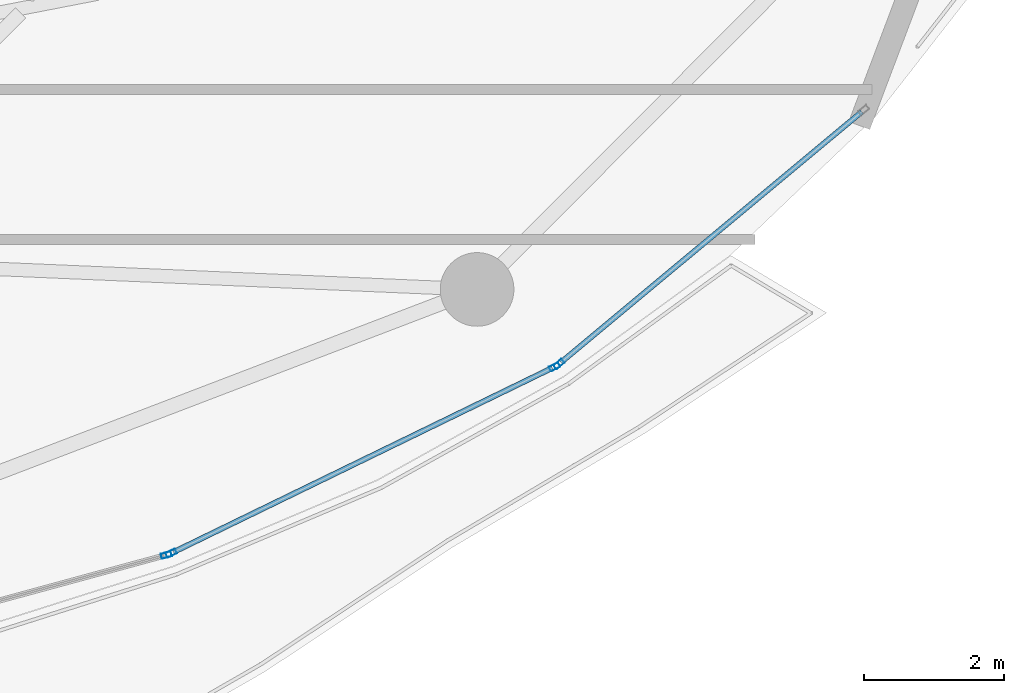
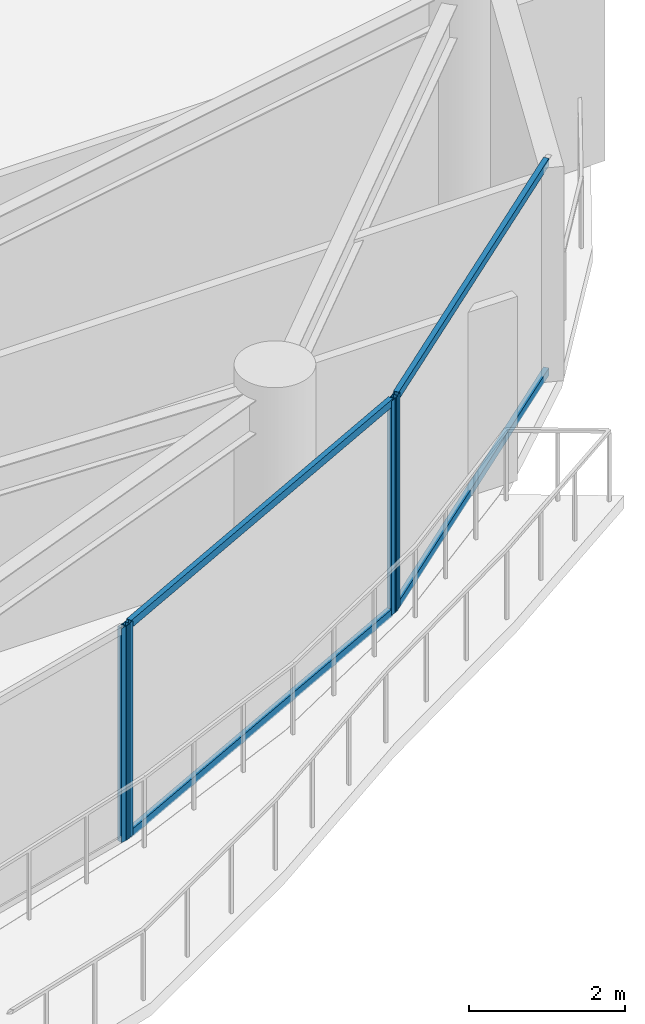
# One storey, part 12 of 29: 8 members, 3 elements without a shape of their own.
"""IFC4 building model written with IfcOpenShell, lengths in metres."""

import ifcopenshell
import ifcopenshell.guid

model = None  # the IFC model being written
_history = None  # IfcOwnerHistory: only IFC2X3 demands one
_inside = {}  # id of a spatial element -> (the spatial element, [elements in it])
_under = {}  # id of a project, library or spatial element -> (it, [spatial elements below it])
_declared = {}  # id of a project -> (the project, [libraries it declares])
_typed = {}  # id of a type object -> (the type object, [elements of that type])
_made_of = {}  # id of a material, layer set ... -> (it, [elements and type objects made of it])


def new_model(schema):
    """Start an empty IFC model of exactly this schema.

    Asked for "IFC4X3", IfcOpenShell would pick the latest addendum, in which some entities
    have other attributes; the version numbers below select the first issue.
    IFC2X3 requires an IfcOwnerHistory on every rooted entity: one is made here for all.
    """
    global model, _history
    if schema == "IFC4X3":
        model = ifcopenshell.file(schema_version=(4, 3, 0, 0))
    else:
        model = ifcopenshell.file(schema=schema)
    _inside.clear()
    _under.clear()
    _declared.clear()
    _typed.clear()
    _made_of.clear()
    _history = None
    if model.schema == "IFC2X3":
        org = make("IfcOrganization", Name="unknown")
        user = make(
            "IfcPersonAndOrganization",
            ThePerson=make("IfcPerson", FamilyName="unknown"),
            TheOrganization=org,
        )
        app = make(
            "IfcApplication",
            ApplicationDeveloper=org,
            Version="unknown",
            ApplicationFullName="unknown",
            ApplicationIdentifier="unknown",
        )
        _history = make(
            "IfcOwnerHistory",
            OwningUser=user,
            OwningApplication=app,
            ChangeAction="ADDED",
            CreationDate=0,
        )
    return model


def make(cls, **values):
    """One entity of the class cls with the attributes given. An attribute that is None is left unset."""
    return model.create_entity(
        cls, **{name: value for name, value in values.items() if value is not None}
    )


def rooted(cls, **values):
    """An entity with a GlobalId (a new one), such as an element, a storey or a relation."""
    return make(cls, GlobalId=ifcopenshell.guid.new(), OwnerHistory=_history, **values)


def si_unit(unit_type, name, prefix=None):
    """IfcSIUnit, for example si_unit("LENGTHUNIT", "METRE", prefix="MILLI")."""
    return make("IfcSIUnit", UnitType=unit_type, Prefix=prefix, Name=name)


def assignment(units):
    """IfcUnitAssignment: the units of a project."""
    return None if units is None else make("IfcUnitAssignment", Units=units)


def point(xyz):
    """IfcCartesianPoint."""
    return None if xyz is None else make("IfcCartesianPoint", Coordinates=xyz)


def direction(xyz):
    """IfcDirection."""
    return None if xyz is None else make("IfcDirection", DirectionRatios=xyz)


def frame(location, z_axis=None, x_axis=None):
    """IfcAxis2Placement3D, a coordinate frame: its origin and axes. An axis left out is left unset."""
    return make(
        "IfcAxis2Placement3D",
        Location=point(location),
        Axis=direction(z_axis),
        RefDirection=direction(x_axis),
    )


def frame_2d(location, x_axis=None):
    """IfcAxis2Placement2D, a coordinate frame in the plane: its origin and x axis."""
    return make(
        "IfcAxis2Placement2D", Location=point(location), RefDirection=direction(x_axis)
    )


def origin():
    """The frame at (0, 0, 0) with its axes left unset."""
    return frame((0.0, 0.0, 0.0))


def origin_2d():
    """The frame at (0, 0) in the plane with its x axis left unset."""
    return frame_2d((0.0, 0.0))


def place(relative_to, where):
    """IfcLocalPlacement: puts the frame where relative to a parent placement (None: the world)."""
    return make(
        "IfcLocalPlacement", PlacementRelTo=relative_to, RelativePlacement=where
    )


def context(
    kind, dimensions, precision=None, world=None, true_north=None, identifier=None
):
    """IfcGeometricRepresentationContext, for example the 3D "Model" context."""
    return make(
        "IfcGeometricRepresentationContext",
        ContextIdentifier=identifier,
        ContextType=kind,
        CoordinateSpaceDimension=dimensions,
        Precision=precision,
        WorldCoordinateSystem=world,
        TrueNorth=true_north,
    )


def subcontext(parent, identifier, kind, view, scale=None):
    """IfcGeometricRepresentationSubContext, for example "Body" below "Model"."""
    return make(
        "IfcGeometricRepresentationSubContext",
        ContextIdentifier=identifier,
        ContextType=kind,
        ParentContext=parent,
        TargetScale=scale,
        TargetView=view,
    )


def project(units=None, contexts=None):
    """IfcProject with its units and contexts."""
    return rooted(
        "IfcProject",
        Name="project",
        RepresentationContexts=contexts,
        UnitsInContext=assignment(units),
    )


def spatial(cls, under=None, at=None, **own):
    """A site, building, storey or space (cls), placed at a placement, below another one or the project."""
    s = rooted(cls, ObjectPlacement=at, **own)
    if under is not None:
        _under.setdefault(under.id(), (under, []))[1].append(s)
    return s


def profile(cls, at=None, kind="AREA", **sizes):
    """A parametric profile (cls). Its sizes go by their IFC names, for example OverallWidth=200.0."""
    return make(cls, ProfileType=kind, Position=at, **sizes)


def hollow_rectangle(**sizes):
    """IfcRectangleHollowProfileDef."""
    return profile("IfcRectangleHollowProfileDef", **sizes)


def extrude(swept, where, along, depth):
    """IfcExtrudedAreaSolid: the profile swept, set in the frame where, extruded along a direction by depth."""
    return make(
        "IfcExtrudedAreaSolid",
        SweptArea=swept,
        Position=where,
        ExtrudedDirection=direction(along),
        Depth=depth,
    )


def shape(context_of_items, identifier, shape_type, items):
    """IfcShapeRepresentation: the items that make up one representation, for example the "Body"."""
    return make(
        "IfcShapeRepresentation",
        ContextOfItems=context_of_items,
        RepresentationIdentifier=identifier,
        RepresentationType=shape_type,
        Items=items,
    )


def material(Name=None, Category=None):
    """IfcMaterial."""
    return make("IfcMaterial", Name=Name, Category=Category)


def layer(
    of_material, thickness, ventilated=None, Name=None, Category=None, Priority=None
):
    """IfcMaterialLayer: one layer of a wall or slab, of a material (None: an air gap)."""
    return make(
        "IfcMaterialLayer",
        Material=of_material,
        LayerThickness=thickness,
        IsVentilated=ventilated,
        Name=Name,
        Category=Category,
        Priority=Priority,
    )


def layer_set(layers, Name=None):
    """IfcMaterialLayerSet."""
    return make("IfcMaterialLayerSet", MaterialLayers=layers, LayerSetName=Name)


def material_profile(
    of_material, cross_section, Name=None, Category=None, Priority=None
):
    """IfcMaterialProfile: a cross section and its material."""
    return make(
        "IfcMaterialProfile",
        Name=Name,
        Material=of_material,
        Profile=cross_section,
        Priority=Priority,
        Category=Category,
    )


def profile_set(profiles, Name=None, composite=None):
    """IfcMaterialProfileSet."""
    return make(
        "IfcMaterialProfileSet",
        Name=Name,
        MaterialProfiles=profiles,
        CompositeProfile=composite,
    )


def made_of(thing, what):
    """Note that an element or type object is made of a material, layer set ...; save() writes the relation."""
    if what is not None:
        _made_of.setdefault(what.id(), (what, []))[1].append(thing)
    return thing


def type_object(cls, material=None, **own):
    """A type object (cls), such as IfcWallType, which elements share."""
    return made_of(rooted(cls, **own), material)


def element(
    cls,
    number,
    at=None,
    inside=None,
    cuts=None,
    type_object=None,
    material=None,
    context=None,
    identifier="Body",
    shape_type=None,
    held_by="IfcProductDefinitionShape",
    body=None,
    shapes=None,
    **own,
):
    """One element of the class cls, such as IfcWall. Its Tag is "e" and its number.

    at: its placement. inside: the storey or other place that contains it. cuts: it is an
    opening in that element (IfcRelVoidsElement). A single representation is given by context,
    identifier, shape_type and body (its items); several are given by shapes. held_by: the class
    of the entity that holds the representations. save() writes the other relations.
    """
    e = rooted(cls, Tag="e%d" % number, ObjectPlacement=at, **own)
    if body is not None:
        shapes = [shape(context, identifier, shape_type, body)]
    if shapes is not None:
        e.Representation = make(held_by, Representations=shapes)
    if inside is not None:
        _inside.setdefault(inside.id(), (inside, []))[1].append(e)
    if cuts is not None:
        rooted(
            "IfcRelVoidsElement", RelatingBuildingElement=cuts, RelatedOpeningElement=e
        )
    if type_object is not None:
        _typed.setdefault(type_object.id(), (type_object, []))[1].append(e)
    return made_of(e, material)


def aggregate(whole, parts):
    """IfcRelAggregates: a whole, such as a stair, and the parts it consists of."""
    return rooted("IfcRelAggregates", RelatingObject=whole, RelatedObjects=parts)


def save(model, path):
    """Write the relations noted so far, then the file.

    IfcRelAggregates (storeys below a building ...), IfcRelContainedInSpatialStructure (elements
    in a storey), IfcRelDefinesByType, IfcRelAssociatesMaterial and IfcRelDeclares: one each for
    every whole, place, type object, material and project.
    """
    for whole, parts in _under.values():
        aggregate(whole, parts)
    for where, things in _inside.values():
        rooted(
            "IfcRelContainedInSpatialStructure",
            RelatedElements=things,
            RelatingStructure=where,
        )
    for kind, things in _typed.values():
        rooted("IfcRelDefinesByType", RelatedObjects=things, RelatingType=kind)
    for what, things in _made_of.values():
        rooted("IfcRelAssociatesMaterial", RelatedObjects=things, RelatingMaterial=what)
    for by, libraries in _declared.values():
        rooted("IfcRelDeclares", RelatingContext=by, RelatedDefinitions=libraries)
    model.write(path)


model = new_model("IFC4")

# Units and contexts
model_context = context("Model", 3, precision=1e-05, world=origin(), true_north=direction((0.0, 1.0)))
body_context = subcontext(model_context, "Body", "Model", "MODEL_VIEW")
ifc_project = project(units=[si_unit("LENGTHUNIT", "METRE"), si_unit("AREAUNIT", "SQUARE_METRE"), si_unit("VOLUMEUNIT", "CUBIC_METRE"), si_unit("PLANEANGLEUNIT", "RADIAN"), si_unit("MASSUNIT", "GRAM", prefix="KILO")], contexts=[model_context])

# Site, building, storey
site_placement = place(None, origin())
site = spatial("IfcSite", under=ifc_project, at=site_placement, CompositionType="ELEMENT")
building_placement = place(site_placement, origin())
building = spatial("IfcBuilding", under=site, at=building_placement, Name="Kazevale Care Tower and Concert Hall", CompositionType="ELEMENT")
storey_placement = place(building_placement, frame((0.0, 0.0, 195.60009765625)))
storey = spatial("IfcBuildingStorey", under=building, at=storey_placement, Name="L51", CompositionType="ELEMENT", Elevation=195.60009765625)

# Curtain wall, member
ifc_material_1 = material(Name="Aluminium 6063-T6 and Low-E Glass", Category="aluminium")
ifc_layer = layer(ifc_material_1, 0.179931640625)
ifc_layer_set = layer_set([ifc_layer], Name="Aluminium 6063-T6 and Low-E Glass")
curtain_wall_type = type_object("IfcCurtainWallType", Name="Sheltered Concave Balcony Curtain Wall CW-5", PredefinedType="NOTDEFINED", material=ifc_layer_set)
curtain_wall_1_placement = place(storey_placement, origin())
curtain_wall_1 = element("IfcCurtainWall", 1, at=curtain_wall_1_placement, inside=storey, type_object=curtain_wall_type, Name="cw:L51:f02", PredefinedType="NOTDEFINED")
ifc_material_2 = material(Name="Aluminium 6063-T6", Category="aluminium")
ifc_material_profile_1 = material_profile(ifc_material_2, hollow_rectangle(XDim=0.074951171875, YDim=0.14990234375, WallThickness=0.00390625, at=origin_2d()), Name="ALU75x150x4")
ifc_profile_set_1 = profile_set([ifc_material_profile_1], Name="Aluminium 6063-T6")
member_type_1 = type_object("IfcMemberType", Name="CW-5 Mullion ALU75x150x4", PredefinedType="MULLION", material=ifc_profile_set_1)
member_1_placement = place(storey_placement, frame((67.417724609375, 21.5869140625, 0.0), z_axis=(0.0, 0.0, 1.0), x_axis=(0.639961217204, -0.768407210062, 0.0)))
member_1 = element("IfcMember", 2, at=member_1_placement, type_object=member_type_1, Name="CW-5 mullion 2", PredefinedType="MULLION", context=body_context, shape_type="SweptSolid", body=[
    extrude(hollow_rectangle(XDim=0.074951171875, YDim=0.14990234375, WallThickness=0.00390625, at=origin_2d()), origin(), (0.0, 0.0, 1.0), 3.35986328125),
])

# Curtain wall, members
curtain_wall_2_placement = place(storey_placement, origin())
curtain_wall_2 = element("IfcCurtainWall", 3, at=curtain_wall_2_placement, inside=storey, type_object=curtain_wall_type, Name="cw:L51:f03", PredefinedType="NOTDEFINED")
member_2_placement = place(storey_placement, frame((67.355224609375, 21.546630859375, 0.0), z_axis=(0.0, 0.0, 1.0), x_axis=(0.437238357087, -0.89934566163, 0.0)))
member_2 = element("IfcMember", 4, at=member_2_placement, type_object=member_type_1, Name="CW-5 mullion 1", PredefinedType="MULLION", context=body_context, shape_type="SweptSolid", body=[
    extrude(hollow_rectangle(XDim=0.074951171875, YDim=0.14990234375, WallThickness=0.00390625, at=origin_2d()), origin(), (0.0, 0.0, 1.0), 3.35986328125),
])
member_3_placement = place(storey_placement, frame((61.8896484375, 18.889404296875, 0.0), z_axis=(0.0, 0.0, 1.0), x_axis=(0.437238357087, -0.89934566163, 0.0)))
member_3 = element("IfcMember", 5, at=member_3_placement, type_object=member_type_1, Name="CW-5 mullion 2", PredefinedType="MULLION", context=body_context, shape_type="SweptSolid", body=[
    extrude(hollow_rectangle(XDim=0.074951171875, YDim=0.14990234375, WallThickness=0.00390625, at=origin_2d()), origin(), (0.0, 0.0, 1.0), 3.35986328125),
])

# Curtain wall, member
curtain_wall_3_placement = place(storey_placement, origin())
curtain_wall_3 = element("IfcCurtainWall", 6, at=curtain_wall_3_placement, inside=storey, type_object=curtain_wall_type, Name="cw:L51:f04", PredefinedType="NOTDEFINED")
member_4_placement = place(storey_placement, frame((61.81982421875, 18.863037109375, 0.0), z_axis=(0.0, 0.0, 1.0), x_axis=(0.262848968947, -0.964836991167, 0.0)))
member_4 = element("IfcMember", 7, at=member_4_placement, type_object=member_type_1, Name="CW-5 mullion 1", PredefinedType="MULLION", context=body_context, shape_type="SweptSolid", body=[
    extrude(hollow_rectangle(XDim=0.074951171875, YDim=0.14990234375, WallThickness=0.00390625, at=origin_2d()), origin(), (0.0, 0.0, 1.0), 3.35986328125),
])
aggregate(curtain_wall_3, [member_4])

# Member
ifc_material_profile_2 = material_profile(ifc_material_2, hollow_rectangle(XDim=0.074951171875, YDim=0.1201171875, WallThickness=0.00390625, at=origin_2d()), Name="ALU75x120x4")
ifc_profile_set_2 = profile_set([ifc_material_profile_2], Name="Aluminium 6063-T6")
member_type_2 = type_object("IfcMemberType", Name="CW-5 Transom ALU75x120x4", PredefinedType="USERDEFINED", material=ifc_profile_set_2)
member_5_placement = place(storey_placement, frame((71.734375, 25.181884765625, 0.037353515625), z_axis=(-0.768432829708, -0.639930454211, 0.0), x_axis=(0.639930454211, -0.768432829708, 0.0)))
member_5 = element("IfcMember", 8, at=member_5_placement, type_object=member_type_2, Name="CW-5 transom 1.1", ObjectType="TRANSOM", PredefinedType="USERDEFINED", context=body_context, shape_type="SweptSolid", body=[
    extrude(hollow_rectangle(XDim=0.074951171875, YDim=0.1201171875, WallThickness=0.00390625, at=origin_2d()), origin(), (0.0, 0.0, 1.0), 5.580078125),
])

member_6_placement = place(storey_placement, frame((71.734375, 25.181884765625, 3.322509765625), z_axis=(-0.768432829708, -0.639930454211, 0.0), x_axis=(0.639930454211, -0.768432829708, 0.0)))
member_6 = element("IfcMember", 9, at=member_6_placement, type_object=member_type_2, Name="CW-5 transom 1.2", ObjectType="TRANSOM", PredefinedType="USERDEFINED", context=body_context, shape_type="SweptSolid", body=[
    extrude(hollow_rectangle(XDim=0.074951171875, YDim=0.1201171875, WallThickness=0.00390625, at=origin_2d()), origin(), (0.0, 0.0, 1.0), 5.580078125),
])

aggregate(curtain_wall_1, [member_1, member_5, member_6])

member_7_placement = place(storey_placement, frame((67.321533203125, 21.5302734375, 0.037353515625), z_axis=(-0.899342308406, -0.437245254189, 0.0), x_axis=(0.437245254189, -0.899342308406, 0.0)))
member_7 = element("IfcMember", 10, at=member_7_placement, type_object=member_type_2, Name="CW-5 transom 1.1", ObjectType="TRANSOM", PredefinedType="USERDEFINED", context=body_context, shape_type="SweptSolid", body=[
    extrude(hollow_rectangle(XDim=0.074951171875, YDim=0.1201171875, WallThickness=0.00390625, at=origin_2d()), origin(), (0.0, 0.0, 1.0), 6.00244140625),
])

member_8_placement = place(storey_placement, frame((67.321533203125, 21.5302734375, 3.322509765625), z_axis=(-0.899342308406, -0.437245254189, 0.0), x_axis=(0.437245254189, -0.899342308406, 0.0)))
member_8 = element("IfcMember", 11, at=member_8_placement, type_object=member_type_2, Name="CW-5 transom 1.2", ObjectType="TRANSOM", PredefinedType="USERDEFINED", context=body_context, shape_type="SweptSolid", body=[
    extrude(hollow_rectangle(XDim=0.074951171875, YDim=0.1201171875, WallThickness=0.00390625, at=origin_2d()), origin(), (0.0, 0.0, 1.0), 6.00244140625),
])

aggregate(curtain_wall_2, [member_2, member_3, member_7, member_8])

save(model, "model.ifc")
